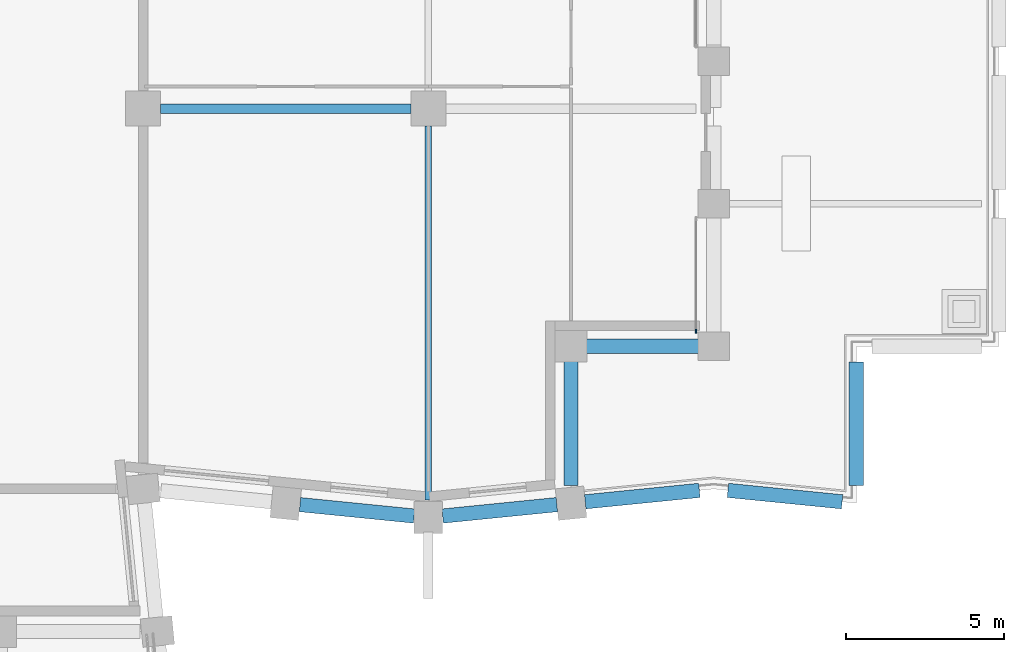
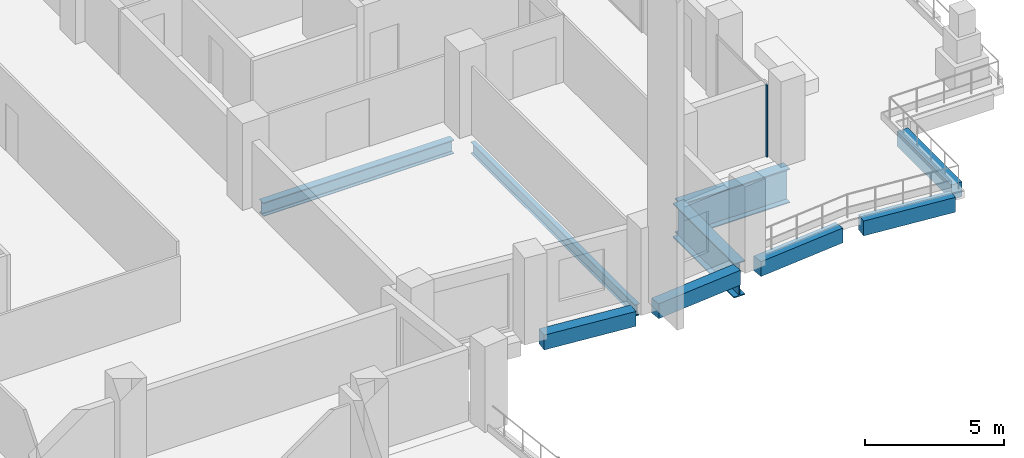
# One storey, part 5 of 19: 9 beams, 1 member, 1 element without a shape of its own.
"""IFC4 building model written with IfcOpenShell, lengths in metres."""

from ifc_helpers import new_model, si_unit, direction, frame, origin, origin_2d, place, context, subcontext, project, spatial, rectangle, i_section, extrude, material, material_profile, profile_set, type_object, element, aggregate, save


model = new_model("IFC4")

# Units and contexts
model_context = context("Model", 3, precision=1e-05, world=origin(), true_north=direction((0.0, 1.0)))
body_context = subcontext(model_context, "Body", "Model", "MODEL_VIEW")
ifc_project = project(units=[si_unit("LENGTHUNIT", "METRE"), si_unit("AREAUNIT", "SQUARE_METRE"), si_unit("VOLUMEUNIT", "CUBIC_METRE"), si_unit("PLANEANGLEUNIT", "RADIAN"), si_unit("MASSUNIT", "GRAM", prefix="KILO")], contexts=[model_context])

# Site, building, storey
site_placement = place(None, origin())
site = spatial("IfcSite", under=ifc_project, at=site_placement, CompositionType="ELEMENT")
building_placement = place(site_placement, origin())
building = spatial("IfcBuilding", under=site, at=building_placement, Name="Brondeck Convention Tower", CompositionType="ELEMENT")
storey_placement = place(building_placement, frame((0.0, 0.0, 198.800048828125)))
storey = spatial("IfcBuildingStorey", under=building, at=storey_placement, Name="L48", CompositionType="ELEMENT", Elevation=198.800048828125)

# Curtain wall, member
ifc_material_1 = material(Name="Aluminium, bronze anodised", Category="aluminium")
curtain_wall_type = type_object("IfcCurtainWallType", Name="Terrace door screen curtain wall", PredefinedType="NOTDEFINED", material=ifc_material_1)
curtain_wall_placement = place(storey_placement, origin())
curtain_wall = element("IfcCurtainWall", 1, at=curtain_wall_placement, inside=storey, type_object=curtain_wall_type, Name="ENV-CW6-L48-A-E54-01", PredefinedType="NOTDEFINED")
ifc_material_profile_1 = material_profile(ifc_material_1, rectangle(XDim=0.050048828125, YDim=0.1201171875, at=origin_2d()), Name="CW6 mullion")
ifc_profile_set_1 = profile_set([ifc_material_profile_1], Name="Aluminium, bronze anodised")
member_type = type_object("IfcMemberType", Name="CW6 mullion", PredefinedType="MULLION", material=ifc_profile_set_1)
member_placement = place(storey_placement, frame((53.43994140625, 31.97509765625, 0.0), z_axis=(0.0, 0.0, 1.0), x_axis=(1.0, 0.0, 0.0)))
member = element("IfcMember", 2, at=member_placement, type_object=member_type, Name="CW6 mullion 2", PredefinedType="MULLION", context=body_context, shape_type="SweptSolid", body=[
    extrude(rectangle(XDim=0.050048828125, YDim=0.1201171875, at=origin_2d()), origin(), (0.0, 0.0, 1.0), 3.14990234375),
])
aggregate(curtain_wall, [member])

# Beams
ifc_material_2 = material(Name="Steel S355", Category="steel")
ifc_material_profile_2 = material_profile(ifc_material_2, i_section(OverallWidth=0.199951171875, OverallDepth=0.5, WebThickness=0.01025390625, FlangeThickness=0.01611328125, FilletRadius=0.02099609375, at=origin_2d()), Name="IPE 500")
ifc_profile_set_2 = profile_set([ifc_material_profile_2], Name="Steel S355")
beam_type_1 = type_object("IfcBeamType", Name="Floor beam IPE 500", PredefinedType="BEAM", material=ifc_profile_set_2)
beam_1_placement = place(storey_placement, frame((45.0, 26.64990234375, -0.550048828125), z_axis=(0.0, 1.0, 0.0), x_axis=(-1.0, 0.0, 0.0)))
element("IfcBeam", 3, at=beam_1_placement, inside=storey, type_object=beam_type_1, Name="STR-FB-L48-001", PredefinedType="BEAM", context=body_context, shape_type="SweptSolid", body=[
    extrude(i_section(OverallWidth=0.199951171875, OverallDepth=0.5, WebThickness=0.01025390625, FlangeThickness=0.01611328125, FilletRadius=0.02099609375, at=origin_2d()), origin(), (0.0, 0.0, 1.0), 11.800048828125),
])
ifc_material_profile_3 = material_profile(ifc_material_2, i_section(OverallWidth=0.300048828125, OverallDepth=0.60009765625, WebThickness=0.015380859375, FlangeThickness=0.030029296875, FilletRadius=0.027099609375, at=origin_2d()), Name="HEB 600")
ifc_profile_set_3 = profile_set([ifc_material_profile_3], Name="Steel S355")
beam_type_2 = type_object("IfcBeamType", Name="Girder HEB 600", PredefinedType="BEAM", material=ifc_profile_set_3)
beam_2_placement = place(storey_placement, frame((36.550048828125, 39.0, -0.60009765625), z_axis=(1.0, 0.0, 0.0), x_axis=(0.0, 1.0, 0.0)))
element("IfcBeam", 4, at=beam_2_placement, inside=storey, type_object=beam_type_2, Name="STR-GR-L48-001", PredefinedType="BEAM", context=body_context, shape_type="SweptSolid", body=[
    extrude(i_section(OverallWidth=0.300048828125, OverallDepth=0.60009765625, WebThickness=0.015380859375, FlangeThickness=0.030029296875, FilletRadius=0.027099609375, at=origin_2d()), origin(), (0.0, 0.0, 1.0), 7.89990234375),
])
ifc_material_3 = material(Name="Concrete C50/60", Category="concrete")
ifc_material_profile_4 = material_profile(ifc_material_3, rectangle(XDim=0.449951171875, YDim=0.64990234375, at=origin_2d()), Name="Precast spandrel 450x650 Concrete C50/60")
ifc_profile_set_4 = profile_set([ifc_material_profile_4], Name="Concrete C50/60")
beam_type_3 = type_object("IfcBeamType", Name="Precast spandrel 450x650 Concrete C50/60", PredefinedType="SPANDREL", material=ifc_profile_set_4)
for number, where, z_axis, x_axis, name in (
    (5, (40.94775390625, 26.505126953125, -0.324951171875), (0.995040528141, -0.099470334057, 0.0), (0.099470334057, 0.995040528141, 0.0), "STR-SP-L48-003"),
    (6, (45.449951171875, 26.14501953125, -0.324951171875), (0.995040528141, 0.099470334057, 0.0), (-0.099470334057, 0.995040528141, 0.0), "STR-SP-L48-004"),
):
    element("IfcBeam", number, at=place(storey_placement, frame(where, z_axis=z_axis, x_axis=x_axis)), inside=storey, type_object=beam_type_3, Name=name, PredefinedType="SPANDREL", context=body_context, shape_type="SweptSolid", body=[
        extrude(rectangle(XDim=0.449951171875, YDim=0.64990234375, at=origin_2d()), origin(), (0.0, 0.0, 1.0), 3.620361328125),
    ])
beam_3_placement = place(storey_placement, frame((58.5, 31.0, -0.324951171875), z_axis=(0.0, -1.0, 0.0), x_axis=(1.0, 0.0, 0.0)))
element("IfcBeam", 7, at=beam_3_placement, inside=storey, type_object=beam_type_3, Name="STR-SP-L48T2-011", PredefinedType="SPANDREL", context=body_context, shape_type="SweptSolid", body=[
    extrude(rectangle(XDim=0.449951171875, YDim=0.64990234375, at=origin_2d()), origin(), (0.0, 0.0, 1.0), 3.897216796875),
])
for number, where, z_axis, x_axis, name in (
    (8, (58.05224609375, 26.5947265625, -0.324951171875), (-0.995033851182, 0.099537103649, 0.0), (-0.099537103649, -0.995033851182, 0.0), "STR-SP-L48T2-012"),
    (9, (53.550048828125, 26.955078125, -0.324951171875), (-0.995033851182, -0.099537103649, 0.0), (0.099537103649, -0.995033851182, 0.0), "STR-SP-L48T2-013"),
):
    element("IfcBeam", number, at=place(storey_placement, frame(where, z_axis=z_axis, x_axis=x_axis)), inside=storey, type_object=beam_type_3, Name=name, PredefinedType="SPANDREL", context=body_context, shape_type="SweptSolid", body=[
        extrude(rectangle(XDim=0.449951171875, YDim=0.64990234375, at=origin_2d()), origin(), (0.0, 0.0, 1.0), 3.620361328125),
    ])
ifc_material_4 = material(Name="Steel S460", Category="steel")
ifc_material_profile_5 = material_profile(ifc_material_4, i_section(OverallWidth=0.449951171875, OverallDepth=1.5, WebThickness=0.02490234375, FlangeThickness=0.044921875, at=origin_2d()), Name="PG 1500x450")
ifc_profile_set_5 = profile_set([ifc_material_profile_5], Name="Steel S460")
beam_type_4 = type_object("IfcBeamType", Name="Transfer girder PG 1500x450", PredefinedType="BEAM", material=ifc_profile_set_5)
beam_4_placement = place(storey_placement, frame((49.5, 27.102783203125, -1.050048828125), z_axis=(0.0, 1.0, 0.0), x_axis=(-1.0, 0.0, 0.0)))
element("IfcBeam", 10, at=beam_4_placement, inside=storey, type_object=beam_type_4, Name="Setback transfer girder PG-L48-12", PredefinedType="BEAM", context=body_context, shape_type="SweptSolid", body=[
    extrude(i_section(OverallWidth=0.449951171875, OverallDepth=1.5, WebThickness=0.02490234375, FlangeThickness=0.044921875, at=origin_2d()), origin(), (0.0, 0.0, 1.0), 4.397216796875),
])
beam_5_placement = place(storey_placement, frame((49.5, 31.5, -1.050048828125), z_axis=(1.0, 0.0, 0.0), x_axis=(0.0, 1.0, 0.0)))
element("IfcBeam", 11, at=beam_5_placement, inside=storey, type_object=beam_type_4, Name="Setback transfer girder PG-L48-13", PredefinedType="BEAM", context=body_context, shape_type="SweptSolid", body=[
    extrude(i_section(OverallWidth=0.449951171875, OverallDepth=1.5, WebThickness=0.02490234375, FlangeThickness=0.044921875, at=origin_2d()), origin(), (0.0, 0.0, 1.0), 4.5),
])

save(model, "model.ifc")
